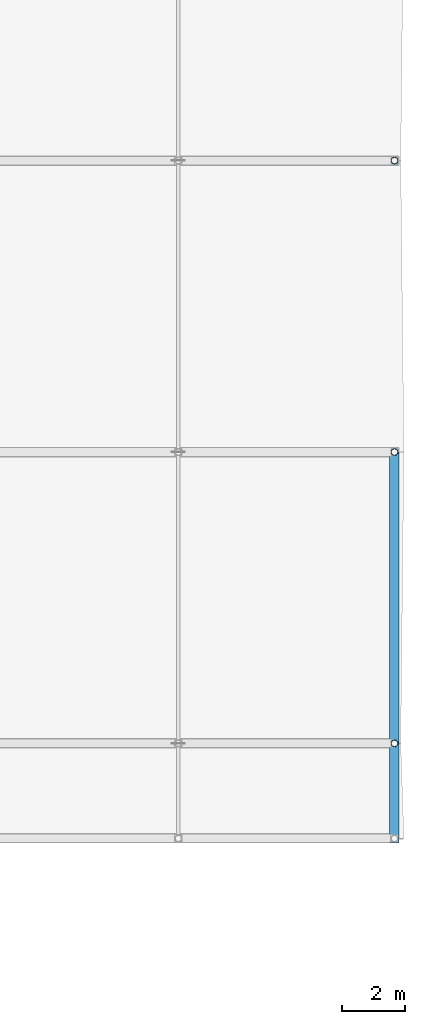
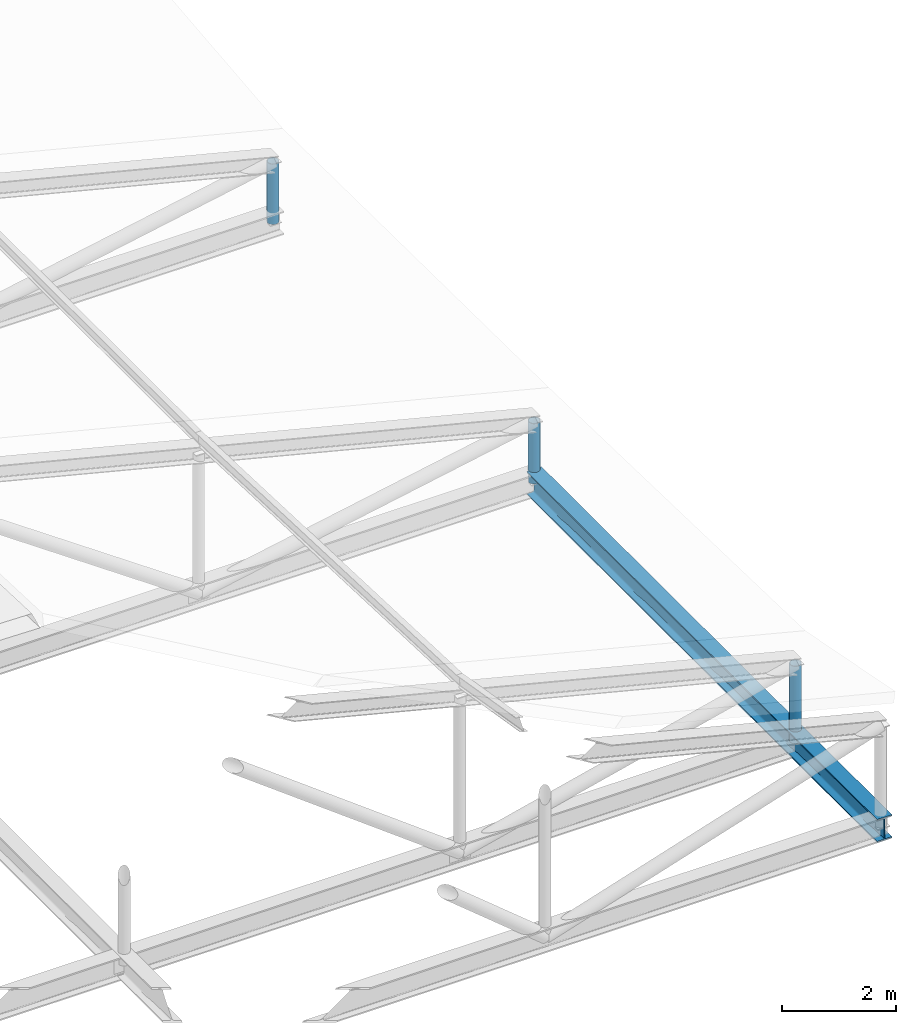
# One storey, part 38 of 56: 3 members, 1 beam.
"""IFC4 building model written with IfcOpenShell, lengths in metres."""

from ifc_helpers import new_model, si_unit, direction, frame, origin, origin_2d, place, context, subcontext, project, spatial, hollow_circle, i_section, extrude, material, material_profile, profile_set, type_object, element, save


model = new_model("IFC4")

# Units and contexts
model_context = context("Model", 3, precision=1e-05, world=origin(), true_north=direction((0.0, 1.0)))
body_context = subcontext(model_context, "Body", "Model", "MODEL_VIEW")
ifc_project = project(units=[si_unit("LENGTHUNIT", "METRE"), si_unit("AREAUNIT", "SQUARE_METRE"), si_unit("VOLUMEUNIT", "CUBIC_METRE"), si_unit("PLANEANGLEUNIT", "RADIAN"), si_unit("MASSUNIT", "GRAM", prefix="KILO")], contexts=[model_context])

# Site, building, storey
site_placement = place(None, origin())
site = spatial("IfcSite", under=ifc_project, at=site_placement, CompositionType="ELEMENT")
building_placement = place(site_placement, origin())
building = spatial("IfcBuilding", under=site, at=building_placement, Name="Bozkorgan Art Gallery", CompositionType="ELEMENT")
storey_placement = place(building_placement, frame((0.0, 0.0, 24.0)))
storey = spatial("IfcBuildingStorey", under=building, at=storey_placement, Name="L05", CompositionType="ELEMENT", Elevation=24.0)

# Beam
ifc_material = material(Name="Steel S355J2", Category="steel")
ifc_material_profile_1 = material_profile(ifc_material, i_section(OverallWidth=0.300048828125, OverallDepth=0.5, WebThickness=0.014404296875, FlangeThickness=0.028076171875, FilletRadius=0.027099609375, at=origin_2d()), Name="HEB 500")
ifc_profile_set_1 = profile_set([ifc_material_profile_1], Name="Steel S355J2")
beam_type = type_object("IfcBeamType", Name="BEAM-TO-52", PredefinedType="BEAM", material=ifc_profile_set_1)
beam_placement = place(storey_placement, frame((164.14990234375, 62.860107421875, 0.25), z_axis=(0.0, 1.0, 0.0), x_axis=(-1.0, 0.0, 0.0)))
element("IfcBeam", 1, at=beam_placement, inside=storey, type_object=beam_type, Name="ROOF-V5-MAIN south overhang continuous truss chord 3", PredefinedType="BEAM", context=body_context, shape_type="SweptSolid", body=[
    extrude(i_section(OverallWidth=0.300048828125, OverallDepth=0.5, WebThickness=0.014404296875, FlangeThickness=0.028076171875, FilletRadius=0.027099609375, at=origin_2d()), origin(), (0.0, 0.0, 1.0), 12.33984375),
])

# Members
ifc_material_profile_2 = material_profile(ifc_material, hollow_circle(Radius=0.109619140625, WallThickness=0.010009765625, at=origin_2d()), Name="CHS 219.1x10")
ifc_profile_set_2 = profile_set([ifc_material_profile_2], Name="Steel S355J2")
member_type = type_object("IfcMemberType", Name="MEMBER-TP-78", PredefinedType="POST", material=ifc_profile_set_2)
member_placement = place(storey_placement, frame((164.14990234375, 66.0, 0.25), z_axis=(0.0, 0.0, 1.0), x_axis=(1.0, 0.0, 0.0)))
element("IfcMember", 2, at=member_placement, inside=storey, type_object=member_type, Name="ROOF-V5-MAIN roof truss 2 post 5", PredefinedType="POST", context=body_context, shape_type="SweptSolid", body=[
    extrude(hollow_circle(Radius=0.109619140625, WallThickness=0.010009765625, at=origin_2d()), origin(), (0.0, 0.0, 1.0), 1.662109375),
])
for number, where, z_axis, x_axis, name in (
    (3, (164.14990234375, 75.199951171875, 0.25), (0.0, 0.0, 1.0), (1.0, 0.0, 0.0), "ROOF-V5-MAIN roof truss 3 post 5"),
    (4, (164.14990234375, 84.39990234375, 0.25), (0.0, 0.0, 1.0), (1.0, 0.0, 0.0), "ROOF-V5-MAIN roof truss 4 post 5"),
):
    element("IfcMember", number, at=place(storey_placement, frame(where, z_axis=z_axis, x_axis=x_axis)), inside=storey, type_object=member_type, Name=name, PredefinedType="POST", context=body_context, shape_type="SweptSolid", body=[
        extrude(hollow_circle(Radius=0.109619140625, WallThickness=0.010009765625, at=origin_2d()), origin(), (0.0, 0.0, 1.0), 1.299072265625),
    ])

save(model, "model.ifc")
